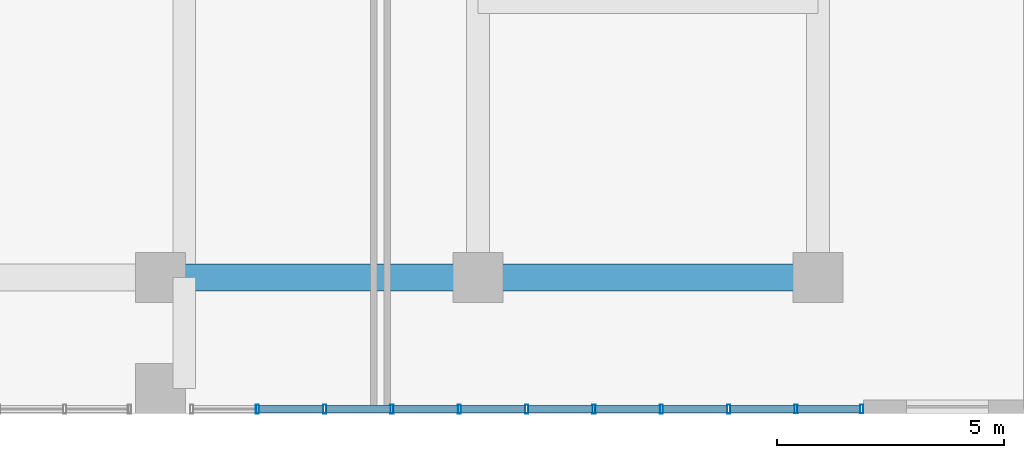
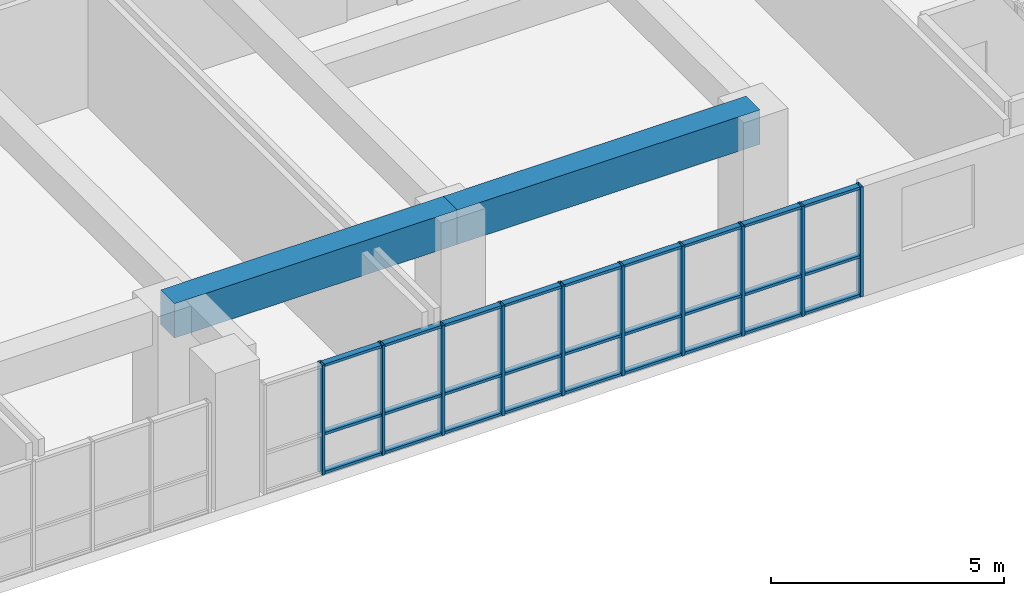
# One storey, part 6 of 27: 37 members, 2 beams, 1 element without a shape of its own.
"""IFC4 building model written with IfcOpenShell, lengths in metres."""

from ifc_helpers import new_model, si_unit, direction, frame, origin, origin_2d, place, context, subcontext, project, spatial, rectangle, hollow_rectangle, extrude, source, transform, mapped, material, layer, layer_set, material_profile, profile_set, type_object, element, aggregate, save


model = new_model("IFC4")

# Units and contexts
model_context = context("Model", 3, precision=1e-05, world=origin(), true_north=direction((0.0, 1.0)))
body_context = subcontext(model_context, "Body", "Model", "MODEL_VIEW")
ifc_project = project(units=[si_unit("LENGTHUNIT", "METRE"), si_unit("AREAUNIT", "SQUARE_METRE"), si_unit("VOLUMEUNIT", "CUBIC_METRE"), si_unit("PLANEANGLEUNIT", "RADIAN"), si_unit("MASSUNIT", "GRAM", prefix="KILO")], contexts=[model_context])

# Site, building, storey
site_placement = place(None, origin())
site = spatial("IfcSite", under=ifc_project, at=site_placement, CompositionType="ELEMENT")
building_placement = place(site_placement, origin())
building = spatial("IfcBuilding", under=site, at=building_placement, Name="Saelheon Loggia Tower", CompositionType="ELEMENT")
storey_placement = place(building_placement, frame((0.0, 0.0, 4.199951171875)))
storey = spatial("IfcBuildingStorey", under=building, at=storey_placement, Name="L01", CompositionType="ELEMENT", Elevation=4.199951171875)

# Beams
ifc_material_1 = material(Name="Concrete C50/60", Category="concrete")
ifc_material_profile_1 = material_profile(ifc_material_1, rectangle(XDim=0.60009765625, YDim=0.89990234375, at=origin_2d()), Name="RC-600x900")
ifc_profile_set_1 = profile_set([ifc_material_profile_1], Name="Concrete C50/60")
beam_type = type_object("IfcBeamType", Name="Beam_MainGirder_RC600x900", PredefinedType="BEAM", material=ifc_profile_set_1)
shared_shape_1 = source(origin(), body_context, "Body", "SweptSolid", [
    extrude(rectangle(XDim=0.60009765625, YDim=0.89990234375, at=origin_2d()), origin(), (0.0, 0.0, 1.0), 7.5),
])
beam_1_placement = place(storey_placement, frame((51.5, 3.0, 3.150146484375), z_axis=(1.0, 0.0, 0.0), x_axis=(0.0, 1.0, 0.0)))
element("IfcBeam", 1, at=beam_1_placement, inside=storey, type_object=beam_type, Name="BM-L01-EW-3-7", PredefinedType="BEAM", context=body_context, shape_type="MappedRepresentation", body=[
    mapped(shared_shape_1, transform((0.0, 0.0, 0.0), scale=1.0)),
])
shared_shape_2 = source(origin(), body_context, "Body", "SweptSolid", [
    extrude(rectangle(XDim=0.60009765625, YDim=0.89990234375, at=origin_2d()), origin(), (0.0, 0.0, 1.0), 7.0),
])
beam_2_placement = place(storey_placement, frame((44.5, 3.0, 3.150146484375), z_axis=(1.0, 0.0, 0.0), x_axis=(0.0, 1.0, 0.0)))
element("IfcBeam", 2, at=beam_2_placement, inside=storey, type_object=beam_type, Name="BM-L01-EW-3-6", PredefinedType="BEAM", context=body_context, shape_type="MappedRepresentation", body=[
    mapped(shared_shape_2, transform((0.0, 0.0, 0.0), scale=1.0)),
])

# Curtain wall, members
ifc_material_2 = material(Name="Aluminium 6063-T6 and Low-E IGU", Category="aluminium")
ifc_layer = layer(ifc_material_2, 0.179931640625)
ifc_layer_set = layer_set([ifc_layer], Name="Aluminium 6063-T6 and Low-E IGU")
curtain_wall_type = type_object("IfcCurtainWallType", Name="CW_PodiumClinic", PredefinedType="NOTDEFINED", material=ifc_layer_set)
curtain_wall_placement = place(storey_placement, origin())
curtain_wall = element("IfcCurtainWall", 3, at=curtain_wall_placement, inside=storey, type_object=curtain_wall_type, Name="L01 South Clinic Curtain Wall 3", PredefinedType="NOTDEFINED")
ifc_material_3 = material(Name="Anodised Aluminium 6063-T6", Category="aluminium")
ifc_material_profile_2 = material_profile(ifc_material_3, hollow_rectangle(XDim=0.070068359375, YDim=0.199951171875, WallThickness=0.0048828125, at=origin_2d()), Name="RHS-200x70x5")
ifc_profile_set_2 = profile_set([ifc_material_profile_2], Name="Anodised Aluminium 6063-T6")
member_type_1 = type_object("IfcMemberType", Name="CW_PodiumClinic_Mullion", PredefinedType="MULLION", material=ifc_profile_set_2)
shared_shape_3 = source(origin(), body_context, "Body", "SweptSolid", [
    extrude(hollow_rectangle(XDim=0.070068359375, YDim=0.199951171875, WallThickness=0.0048828125, at=origin_2d()), origin(), (0.0, 0.0, 1.0), 2.880126953125),
])
member_1_placement = place(storey_placement, frame((46.635009765625, 0.10009765625, 0.0), z_axis=(0.0, 0.0, 1.0), x_axis=(1.0, 0.0, 0.0)))
member_1 = element("IfcMember", 4, at=member_1_placement, type_object=member_type_1, Name="CW1 mullion 2", PredefinedType="MULLION", context=body_context, shape_type="MappedRepresentation", body=[
    mapped(shared_shape_3, transform((0.0, 0.0, 0.0), scale=1.0)),
])
member_2_placement = place(storey_placement, frame((48.1201171875, 0.10009765625, 0.0), z_axis=(0.0, 0.0, 1.0), x_axis=(1.0, 0.0, 0.0)))
member_2 = element("IfcMember", 5, at=member_2_placement, type_object=member_type_1, Name="CW1 mullion 3", PredefinedType="MULLION", context=body_context, shape_type="MappedRepresentation", body=[
    mapped(shared_shape_3, transform((0.0, 0.0, 0.0), scale=1.0)),
])
member_3_placement = place(storey_placement, frame((49.60498046875, 0.10009765625, 0.0), z_axis=(0.0, 0.0, 1.0), x_axis=(1.0, 0.0, 0.0)))
member_3 = element("IfcMember", 6, at=member_3_placement, type_object=member_type_1, Name="CW1 mullion 4", PredefinedType="MULLION", context=body_context, shape_type="MappedRepresentation", body=[
    mapped(shared_shape_3, transform((0.0, 0.0, 0.0), scale=1.0)),
])
member_4_placement = place(storey_placement, frame((51.090087890625, 0.10009765625, 0.0), z_axis=(0.0, 0.0, 1.0), x_axis=(1.0, 0.0, 0.0)))
member_4 = element("IfcMember", 7, at=member_4_placement, type_object=member_type_1, Name="CW1 mullion 5", PredefinedType="MULLION", context=body_context, shape_type="MappedRepresentation", body=[
    mapped(shared_shape_3, transform((0.0, 0.0, 0.0), scale=1.0)),
])
member_5_placement = place(storey_placement, frame((52.574951171875, 0.10009765625, 0.0), z_axis=(0.0, 0.0, 1.0), x_axis=(1.0, 0.0, 0.0)))
member_5 = element("IfcMember", 8, at=member_5_placement, type_object=member_type_1, Name="CW1 mullion 6", PredefinedType="MULLION", context=body_context, shape_type="MappedRepresentation", body=[
    mapped(shared_shape_3, transform((0.0, 0.0, 0.0), scale=1.0)),
])
member_6_placement = place(storey_placement, frame((54.06005859375, 0.10009765625, 0.0), z_axis=(0.0, 0.0, 1.0), x_axis=(1.0, 0.0, 0.0)))
member_6 = element("IfcMember", 9, at=member_6_placement, type_object=member_type_1, Name="CW1 mullion 7", PredefinedType="MULLION", context=body_context, shape_type="MappedRepresentation", body=[
    mapped(shared_shape_3, transform((0.0, 0.0, 0.0), scale=1.0)),
])
member_7_placement = place(storey_placement, frame((55.544921875, 0.10009765625, 0.0), z_axis=(0.0, 0.0, 1.0), x_axis=(1.0, 0.0, 0.0)))
member_7 = element("IfcMember", 10, at=member_7_placement, type_object=member_type_1, Name="CW1 mullion 8", PredefinedType="MULLION", context=body_context, shape_type="MappedRepresentation", body=[
    mapped(shared_shape_3, transform((0.0, 0.0, 0.0), scale=1.0)),
])
member_8_placement = place(storey_placement, frame((57.030029296875, 0.10009765625, 0.0), z_axis=(0.0, 0.0, 1.0), x_axis=(1.0, 0.0, 0.0)))
member_8 = element("IfcMember", 11, at=member_8_placement, type_object=member_type_1, Name="CW1 mullion 9", PredefinedType="MULLION", context=body_context, shape_type="MappedRepresentation", body=[
    mapped(shared_shape_3, transform((0.0, 0.0, 0.0), scale=1.0)),
])
member_9_placement = place(storey_placement, frame((58.514892578125, 0.10009765625, 0.0), z_axis=(0.0, 0.0, 1.0), x_axis=(1.0, 0.0, 0.0)))
member_9 = element("IfcMember", 12, at=member_9_placement, type_object=member_type_1, Name="CW1 mullion 10", PredefinedType="MULLION", context=body_context, shape_type="MappedRepresentation", body=[
    mapped(shared_shape_3, transform((0.0, 0.0, 0.0), scale=1.0)),
])
member_10_placement = place(storey_placement, frame((59.965087890625, 0.10009765625, 0.0), z_axis=(0.0, 0.0, 1.0), x_axis=(1.0, 0.0, 0.0)))
member_10 = element("IfcMember", 13, at=member_10_placement, type_object=member_type_1, Name="CW1 mullion 11", PredefinedType="MULLION", context=body_context, shape_type="MappedRepresentation", body=[
    mapped(shared_shape_3, transform((0.0, 0.0, 0.0), scale=1.0)),
])
ifc_material_profile_3 = material_profile(ifc_material_3, hollow_rectangle(XDim=0.070068359375, YDim=0.14990234375, WallThickness=0.0048828125, at=origin_2d()), Name="RHS-150x70x5")
ifc_profile_set_3 = profile_set([ifc_material_profile_3], Name="Anodised Aluminium 6063-T6")
member_type_2 = type_object("IfcMemberType", Name="CW_PodiumClinic_Transom", PredefinedType="USERDEFINED", material=ifc_profile_set_3)
shared_shape_4 = source(origin(), body_context, "Body", "SweptSolid", [
    extrude(hollow_rectangle(XDim=0.070068359375, YDim=0.14990234375, WallThickness=0.0048828125, at=origin_2d()), origin(), (0.0, 0.0, 1.0), 1.3798828125),
])
member_11_placement = place(storey_placement, frame((58.550048828125, 0.10009765625, 0.03515625), z_axis=(1.0, 0.0, 0.0), x_axis=(0.0, 0.0, 1.0)))
member_11 = element("IfcMember", 14, at=member_11_placement, type_object=member_type_2, Name="CW1 transom 10.1", ObjectType="TRANSOM", PredefinedType="USERDEFINED", context=body_context, shape_type="MappedRepresentation", body=[
    mapped(shared_shape_4, transform((0.0, 0.0, 0.0), scale=1.0)),
])
member_12_placement = place(storey_placement, frame((58.550048828125, 0.10009765625, 1.050048828125), z_axis=(1.0, 0.0, 0.0), x_axis=(0.0, 0.0, 1.0)))
member_12 = element("IfcMember", 15, at=member_12_placement, type_object=member_type_2, Name="CW1 transom 10.2", ObjectType="TRANSOM", PredefinedType="USERDEFINED", context=body_context, shape_type="MappedRepresentation", body=[
    mapped(shared_shape_4, transform((0.0, 0.0, 0.0), scale=1.0)),
])
member_13_placement = place(storey_placement, frame((58.550048828125, 0.10009765625, 2.844970703125), z_axis=(1.0, 0.0, 0.0), x_axis=(0.0, 0.0, 1.0)))
member_13 = element("IfcMember", 16, at=member_13_placement, type_object=member_type_2, Name="CW1 transom 10.3", ObjectType="TRANSOM", PredefinedType="USERDEFINED", context=body_context, shape_type="MappedRepresentation", body=[
    mapped(shared_shape_4, transform((0.0, 0.0, 0.0), scale=1.0)),
])
shared_shape_5 = source(origin(), body_context, "Body", "SweptSolid", [
    extrude(hollow_rectangle(XDim=0.070068359375, YDim=0.14990234375, WallThickness=0.0048828125, at=origin_2d()), origin(), (0.0, 0.0, 1.0), 1.4150390625),
])
member_14_placement = place(storey_placement, frame((46.669921875, 0.10009765625, 0.03515625), z_axis=(1.0, 0.0, 0.0), x_axis=(0.0, 0.0, 1.0)))
member_14 = element("IfcMember", 17, at=member_14_placement, type_object=member_type_2, Name="CW1 transom 2.1", ObjectType="TRANSOM", PredefinedType="USERDEFINED", context=body_context, shape_type="MappedRepresentation", body=[
    mapped(shared_shape_5, transform((0.0, 0.0, 0.0), scale=1.0)),
])
member_15_placement = place(storey_placement, frame((46.669921875, 0.10009765625, 1.050048828125), z_axis=(1.0, 0.0, 0.0), x_axis=(0.0, 0.0, 1.0)))
member_15 = element("IfcMember", 18, at=member_15_placement, type_object=member_type_2, Name="CW1 transom 2.2", ObjectType="TRANSOM", PredefinedType="USERDEFINED", context=body_context, shape_type="MappedRepresentation", body=[
    mapped(shared_shape_5, transform((0.0, 0.0, 0.0), scale=1.0)),
])
member_16_placement = place(storey_placement, frame((46.669921875, 0.10009765625, 2.844970703125), z_axis=(1.0, 0.0, 0.0), x_axis=(0.0, 0.0, 1.0)))
member_16 = element("IfcMember", 19, at=member_16_placement, type_object=member_type_2, Name="CW1 transom 2.3", ObjectType="TRANSOM", PredefinedType="USERDEFINED", context=body_context, shape_type="MappedRepresentation", body=[
    mapped(shared_shape_5, transform((0.0, 0.0, 0.0), scale=1.0)),
])
member_17_placement = place(storey_placement, frame((48.155029296875, 0.10009765625, 0.03515625), z_axis=(1.0, 0.0, 0.0), x_axis=(0.0, 0.0, 1.0)))
member_17 = element("IfcMember", 20, at=member_17_placement, type_object=member_type_2, Name="CW1 transom 3.1", ObjectType="TRANSOM", PredefinedType="USERDEFINED", context=body_context, shape_type="MappedRepresentation", body=[
    mapped(shared_shape_5, transform((0.0, 0.0, 0.0), scale=1.0)),
])
member_18_placement = place(storey_placement, frame((48.155029296875, 0.10009765625, 1.050048828125), z_axis=(1.0, 0.0, 0.0), x_axis=(0.0, 0.0, 1.0)))
member_18 = element("IfcMember", 21, at=member_18_placement, type_object=member_type_2, Name="CW1 transom 3.2", ObjectType="TRANSOM", PredefinedType="USERDEFINED", context=body_context, shape_type="MappedRepresentation", body=[
    mapped(shared_shape_5, transform((0.0, 0.0, 0.0), scale=1.0)),
])
member_19_placement = place(storey_placement, frame((48.155029296875, 0.10009765625, 2.844970703125), z_axis=(1.0, 0.0, 0.0), x_axis=(0.0, 0.0, 1.0)))
member_19 = element("IfcMember", 22, at=member_19_placement, type_object=member_type_2, Name="CW1 transom 3.3", ObjectType="TRANSOM", PredefinedType="USERDEFINED", context=body_context, shape_type="MappedRepresentation", body=[
    mapped(shared_shape_5, transform((0.0, 0.0, 0.0), scale=1.0)),
])
member_20_placement = place(storey_placement, frame((49.639892578125, 0.10009765625, 0.03515625), z_axis=(1.0, 0.0, 0.0), x_axis=(0.0, 0.0, 1.0)))
member_20 = element("IfcMember", 23, at=member_20_placement, type_object=member_type_2, Name="CW1 transom 4.1", ObjectType="TRANSOM", PredefinedType="USERDEFINED", context=body_context, shape_type="MappedRepresentation", body=[
    mapped(shared_shape_5, transform((0.0, 0.0, 0.0), scale=1.0)),
])
member_21_placement = place(storey_placement, frame((49.639892578125, 0.10009765625, 1.050048828125), z_axis=(1.0, 0.0, 0.0), x_axis=(0.0, 0.0, 1.0)))
member_21 = element("IfcMember", 24, at=member_21_placement, type_object=member_type_2, Name="CW1 transom 4.2", ObjectType="TRANSOM", PredefinedType="USERDEFINED", context=body_context, shape_type="MappedRepresentation", body=[
    mapped(shared_shape_5, transform((0.0, 0.0, 0.0), scale=1.0)),
])
member_22_placement = place(storey_placement, frame((49.639892578125, 0.10009765625, 2.844970703125), z_axis=(1.0, 0.0, 0.0), x_axis=(0.0, 0.0, 1.0)))
member_22 = element("IfcMember", 25, at=member_22_placement, type_object=member_type_2, Name="CW1 transom 4.3", ObjectType="TRANSOM", PredefinedType="USERDEFINED", context=body_context, shape_type="MappedRepresentation", body=[
    mapped(shared_shape_5, transform((0.0, 0.0, 0.0), scale=1.0)),
])
member_23_placement = place(storey_placement, frame((51.125, 0.10009765625, 0.03515625), z_axis=(1.0, 0.0, 0.0), x_axis=(0.0, 0.0, 1.0)))
member_23 = element("IfcMember", 26, at=member_23_placement, type_object=member_type_2, Name="CW1 transom 5.1", ObjectType="TRANSOM", PredefinedType="USERDEFINED", context=body_context, shape_type="MappedRepresentation", body=[
    mapped(shared_shape_5, transform((0.0, 0.0, 0.0), scale=1.0)),
])
member_24_placement = place(storey_placement, frame((51.125, 0.10009765625, 1.050048828125), z_axis=(1.0, 0.0, 0.0), x_axis=(0.0, 0.0, 1.0)))
member_24 = element("IfcMember", 27, at=member_24_placement, type_object=member_type_2, Name="CW1 transom 5.2", ObjectType="TRANSOM", PredefinedType="USERDEFINED", context=body_context, shape_type="MappedRepresentation", body=[
    mapped(shared_shape_5, transform((0.0, 0.0, 0.0), scale=1.0)),
])
member_25_placement = place(storey_placement, frame((51.125, 0.10009765625, 2.844970703125), z_axis=(1.0, 0.0, 0.0), x_axis=(0.0, 0.0, 1.0)))
member_25 = element("IfcMember", 28, at=member_25_placement, type_object=member_type_2, Name="CW1 transom 5.3", ObjectType="TRANSOM", PredefinedType="USERDEFINED", context=body_context, shape_type="MappedRepresentation", body=[
    mapped(shared_shape_5, transform((0.0, 0.0, 0.0), scale=1.0)),
])
member_26_placement = place(storey_placement, frame((54.094970703125, 0.10009765625, 0.03515625), z_axis=(1.0, 0.0, 0.0), x_axis=(0.0, 0.0, 1.0)))
member_26 = element("IfcMember", 29, at=member_26_placement, type_object=member_type_2, Name="CW1 transom 7.1", ObjectType="TRANSOM", PredefinedType="USERDEFINED", context=body_context, shape_type="MappedRepresentation", body=[
    mapped(shared_shape_5, transform((0.0, 0.0, 0.0), scale=1.0)),
])
member_27_placement = place(storey_placement, frame((54.094970703125, 0.10009765625, 1.050048828125), z_axis=(1.0, 0.0, 0.0), x_axis=(0.0, 0.0, 1.0)))
member_27 = element("IfcMember", 30, at=member_27_placement, type_object=member_type_2, Name="CW1 transom 7.2", ObjectType="TRANSOM", PredefinedType="USERDEFINED", context=body_context, shape_type="MappedRepresentation", body=[
    mapped(shared_shape_5, transform((0.0, 0.0, 0.0), scale=1.0)),
])
member_28_placement = place(storey_placement, frame((54.094970703125, 0.10009765625, 2.844970703125), z_axis=(1.0, 0.0, 0.0), x_axis=(0.0, 0.0, 1.0)))
member_28 = element("IfcMember", 31, at=member_28_placement, type_object=member_type_2, Name="CW1 transom 7.3", ObjectType="TRANSOM", PredefinedType="USERDEFINED", context=body_context, shape_type="MappedRepresentation", body=[
    mapped(shared_shape_5, transform((0.0, 0.0, 0.0), scale=1.0)),
])
member_29_placement = place(storey_placement, frame((55.580078125, 0.10009765625, 0.03515625), z_axis=(1.0, 0.0, 0.0), x_axis=(0.0, 0.0, 1.0)))
member_29 = element("IfcMember", 32, at=member_29_placement, type_object=member_type_2, Name="CW1 transom 8.1", ObjectType="TRANSOM", PredefinedType="USERDEFINED", context=body_context, shape_type="MappedRepresentation", body=[
    mapped(shared_shape_5, transform((0.0, 0.0, 0.0), scale=1.0)),
])
member_30_placement = place(storey_placement, frame((55.580078125, 0.10009765625, 1.050048828125), z_axis=(1.0, 0.0, 0.0), x_axis=(0.0, 0.0, 1.0)))
member_30 = element("IfcMember", 33, at=member_30_placement, type_object=member_type_2, Name="CW1 transom 8.2", ObjectType="TRANSOM", PredefinedType="USERDEFINED", context=body_context, shape_type="MappedRepresentation", body=[
    mapped(shared_shape_5, transform((0.0, 0.0, 0.0), scale=1.0)),
])
member_31_placement = place(storey_placement, frame((55.580078125, 0.10009765625, 2.844970703125), z_axis=(1.0, 0.0, 0.0), x_axis=(0.0, 0.0, 1.0)))
member_31 = element("IfcMember", 34, at=member_31_placement, type_object=member_type_2, Name="CW1 transom 8.3", ObjectType="TRANSOM", PredefinedType="USERDEFINED", context=body_context, shape_type="MappedRepresentation", body=[
    mapped(shared_shape_5, transform((0.0, 0.0, 0.0), scale=1.0)),
])
member_32_placement = place(storey_placement, frame((57.06494140625, 0.10009765625, 0.03515625), z_axis=(1.0, 0.0, 0.0), x_axis=(0.0, 0.0, 1.0)))
member_32 = element("IfcMember", 35, at=member_32_placement, type_object=member_type_2, Name="CW1 transom 9.1", ObjectType="TRANSOM", PredefinedType="USERDEFINED", context=body_context, shape_type="MappedRepresentation", body=[
    mapped(shared_shape_5, transform((0.0, 0.0, 0.0), scale=1.0)),
])
member_33_placement = place(storey_placement, frame((57.06494140625, 0.10009765625, 1.050048828125), z_axis=(1.0, 0.0, 0.0), x_axis=(0.0, 0.0, 1.0)))
member_33 = element("IfcMember", 36, at=member_33_placement, type_object=member_type_2, Name="CW1 transom 9.2", ObjectType="TRANSOM", PredefinedType="USERDEFINED", context=body_context, shape_type="MappedRepresentation", body=[
    mapped(shared_shape_5, transform((0.0, 0.0, 0.0), scale=1.0)),
])
member_34_placement = place(storey_placement, frame((57.06494140625, 0.10009765625, 2.844970703125), z_axis=(1.0, 0.0, 0.0), x_axis=(0.0, 0.0, 1.0)))
member_34 = element("IfcMember", 37, at=member_34_placement, type_object=member_type_2, Name="CW1 transom 9.3", ObjectType="TRANSOM", PredefinedType="USERDEFINED", context=body_context, shape_type="MappedRepresentation", body=[
    mapped(shared_shape_5, transform((0.0, 0.0, 0.0), scale=1.0)),
])
shared_shape_6 = source(origin(), body_context, "Body", "SweptSolid", [
    extrude(hollow_rectangle(XDim=0.070068359375, YDim=0.14990234375, WallThickness=0.0048828125, at=origin_2d()), origin(), (0.0, 0.0, 1.0), 1.414794921875),
])
member_35_placement = place(storey_placement, frame((52.610107421875, 0.10009765625, 0.03515625), z_axis=(1.0, 0.0, 0.0), x_axis=(0.0, 0.0, 1.0)))
member_35 = element("IfcMember", 38, at=member_35_placement, type_object=member_type_2, Name="CW1 transom 6.1", ObjectType="TRANSOM", PredefinedType="USERDEFINED", context=body_context, shape_type="MappedRepresentation", body=[
    mapped(shared_shape_6, transform((0.0, 0.0, 0.0), scale=1.0)),
])
member_36_placement = place(storey_placement, frame((52.610107421875, 0.10009765625, 1.050048828125), z_axis=(1.0, 0.0, 0.0), x_axis=(0.0, 0.0, 1.0)))
member_36 = element("IfcMember", 39, at=member_36_placement, type_object=member_type_2, Name="CW1 transom 6.2", ObjectType="TRANSOM", PredefinedType="USERDEFINED", context=body_context, shape_type="MappedRepresentation", body=[
    mapped(shared_shape_6, transform((0.0, 0.0, 0.0), scale=1.0)),
])
member_37_placement = place(storey_placement, frame((52.610107421875, 0.10009765625, 2.844970703125), z_axis=(1.0, 0.0, 0.0), x_axis=(0.0, 0.0, 1.0)))
member_37 = element("IfcMember", 40, at=member_37_placement, type_object=member_type_2, Name="CW1 transom 6.3", ObjectType="TRANSOM", PredefinedType="USERDEFINED", context=body_context, shape_type="MappedRepresentation", body=[
    mapped(shared_shape_6, transform((0.0, 0.0, 0.0), scale=1.0)),
])
aggregate(curtain_wall, [member_1, member_2, member_3, member_4, member_5, member_6, member_7, member_8, member_9, member_10, member_14, member_15, member_16, member_17, member_18, member_19, member_20, member_21, member_22, member_23, member_24, member_25, member_35, member_36, member_37, member_26, member_27, member_28, member_29, member_30, member_31, member_32, member_33, member_34, member_11, member_12, member_13])

save(model, "model.ifc")
